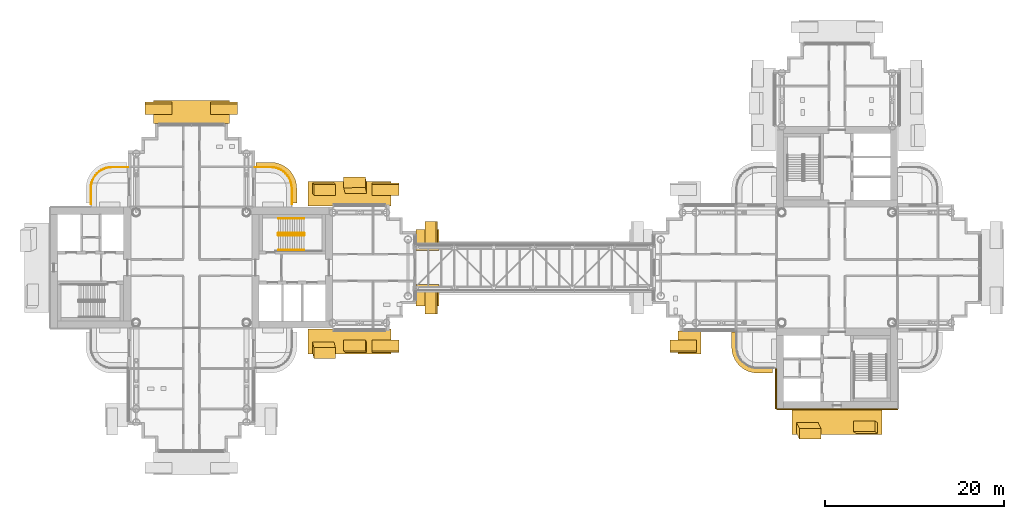
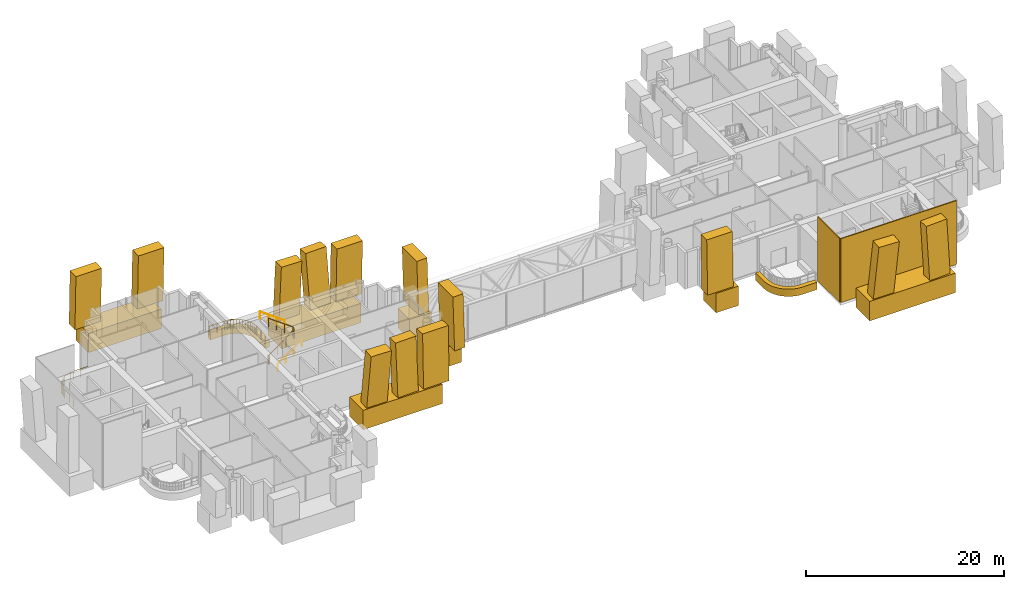
# One storey, part 23 of 26: 24 coverings, 5 railings.
"""IFC4 building model written with IfcOpenShell, lengths in metres."""

from ifc_helpers import new_model, si_unit, direction, frame, origin, origin_2d, place, context, subcontext, project, spatial, polyline, rectangle, circle, outline, extrude, material, layer, layer_set, material_profile, profile_set, type_object, element, save


model = new_model("IFC4")

# Units and contexts
model_context = context("Model", 3, precision=1e-05, world=origin(), true_north=direction((0.0, 1.0)))
body_context = subcontext(model_context, "Body", "Model", "MODEL_VIEW")
ifc_project = project(units=[si_unit("LENGTHUNIT", "METRE"), si_unit("AREAUNIT", "SQUARE_METRE"), si_unit("VOLUMEUNIT", "CUBIC_METRE"), si_unit("PLANEANGLEUNIT", "RADIAN"), si_unit("MASSUNIT", "GRAM", prefix="KILO")], contexts=[model_context])

# Site, building, storey
site_placement = place(None, origin())
site = spatial("IfcSite", under=ifc_project, at=site_placement, CompositionType="ELEMENT")
building_placement = place(site_placement, origin())
building = spatial("IfcBuilding", under=site, at=building_placement, Name="Ipe Terrace Towers", CompositionType="ELEMENT")
storey_placement = place(building_placement, frame((0.0, 0.0, 181.300048828125)))
storey = spatial("IfcBuildingStorey", under=building, at=storey_placement, Name="L50", CompositionType="ELEMENT", Elevation=181.300048828125)

# Railings
ifc_material_1 = material(Name="Stainless steel S316", Category="steel")
railing_type_1 = type_object("IfcRailingType", Name="GUARD 1100", PredefinedType="BALUSTRADE", material=ifc_material_1)
railing_1_placement = place(storey_placement, frame((-43.070068359375, 11.199951171875, -0.02001953125)))
element("IfcRailing", 1, at=railing_1_placement, inside=storey, type_object=railing_type_1, Name="guard", PredefinedType="BALUSTRADE", context=body_context, shape_type="SweptSolid", body=[
    extrude(circle(Radius=0.02392578125, at=origin_2d()), frame((0.0, 0.0, 1.076171875), z_axis=(-1.0, 0.0, 0.0), x_axis=(0.0, -1.0, 0.0)), (0.0, 0.0, 1.0), 1.77783203125),
    extrude(circle(Radius=0.02392578125, at=origin_2d()), frame((-1.77783203125, 0.0, 1.076171875), z_axis=(-0.99790894031, -0.064635492184, 0.0), x_axis=(0.064635492184, -0.99790894031, 0.0)), (0.0, 0.0, 1.0), 0.309814453125),
    extrude(circle(Radius=0.02392578125, at=origin_2d()), frame((-2.0869140625, -0.02001953125, 1.076171875), z_axis=(-0.980824674538, -0.194892169718, 0.0), x_axis=(0.194892169718, -0.980824674538, 0.0)), (0.0, 0.0, 1.0), 0.306884765625),
    extrude(circle(Radius=0.02392578125, at=origin_2d()), frame((-2.387939453125, -0.079833984375, 1.076171875), z_axis=(-0.946598348228, -0.322415209212, 0.0), x_axis=(0.322415209212, -0.946598348228, 0.0)), (0.0, 0.0, 1.0), 0.307373046875),
    extrude(circle(Radius=0.02392578125, at=origin_2d()), frame((-2.678955078125, -0.178955078125, 1.076171875), z_axis=(-0.896952807524, -0.44212629539, 0.0), x_axis=(0.44212629539, -0.896952807524, 0.0)), (0.0, 0.0, 1.0), 0.3076171875),
    extrude(circle(Radius=0.02392578125, at=origin_2d()), frame((-2.954833984375, -0.31494140625, 1.076171875), z_axis=(-0.831806228742, -0.555066120228, 0.0), x_axis=(0.555066120228, -0.831806228742, 0.0)), (0.0, 0.0, 1.0), 0.307861328125),
    extrude(circle(Radius=0.02392578125, at=origin_2d()), frame((-3.2109375, -0.48583984375, 1.076171875), z_axis=(-0.752478137252, -0.658617227954, 0.0), x_axis=(0.658617227954, -0.752478137252, 0.0)), (0.0, 0.0, 1.0), 0.306884765625),
    extrude(circle(Radius=0.02392578125, at=origin_2d()), frame((-3.44189453125, -0.68798828125, 1.076171875), z_axis=(-0.658617227954, -0.752478137252, 0.0), x_axis=(0.752478137252, -0.658617227954, 0.0)), (0.0, 0.0, 1.0), 0.306884765625),
    extrude(circle(Radius=0.02392578125, at=origin_2d()), frame((-3.64404296875, -0.9189453125, 1.076171875), z_axis=(-0.555066120228, -0.831806228742, 0.0), x_axis=(0.831806228742, -0.555066120228, 0.0)), (0.0, 0.0, 1.0), 0.307861328125),
    extrude(circle(Radius=0.02392578125, at=origin_2d()), frame((-3.81494140625, -1.175048828125, 1.076171875), z_axis=(-0.44212629539, -0.896952807524, 0.0), x_axis=(0.896952807524, -0.44212629539, 0.0)), (0.0, 0.0, 1.0), 0.3076171875),
    extrude(circle(Radius=0.02392578125, at=origin_2d()), frame((-3.950927734375, -1.450927734375, 1.076171875), z_axis=(-0.322415209212, -0.946598348228, 0.0), x_axis=(0.946598348228, -0.322415209212, 0.0)), (0.0, 0.0, 1.0), 0.307373046875),
    extrude(circle(Radius=0.02392578125, at=origin_2d()), frame((-4.050048828125, -1.741943359375, 1.076171875), z_axis=(-0.194892169718, -0.980824674538, 0.0), x_axis=(0.980824674538, -0.194892169718, 0.0)), (0.0, 0.0, 1.0), 0.306884765625),
    extrude(circle(Radius=0.02392578125, at=origin_2d()), frame((-4.10986328125, -2.04296875, 1.076171875), z_axis=(-0.064635492184, -0.99790894031, 0.0), x_axis=(0.99790894031, -0.064635492184, 0.0)), (0.0, 0.0, 1.0), 0.309814453125),
    extrude(circle(Radius=0.02392578125, at=origin_2d()), frame((-4.1298828125, -2.35205078125, 1.076171875), z_axis=(0.0, -1.0, 0.0), x_axis=(1.0, 0.0, 0.0)), (0.0, 0.0, 1.0), 1.77783203125),
    extrude(circle(Radius=0.02099609375, at=origin_2d()), origin(), (0.0, 0.0, 1.0), 1.052001953125),
    extrude(circle(Radius=0.02099609375, at=origin_2d()), frame((-0.888916015625, 0.0, 0.0)), (0.0, 0.0, 1.0), 1.052001953125),
    extrude(circle(Radius=0.02099609375, at=origin_2d()), frame((-1.77783203125, 0.0, 0.0)), (0.0, 0.0, 1.0), 1.052001953125),
    extrude(circle(Radius=0.02099609375, at=origin_2d()), frame((-2.0869140625, -0.02001953125, 0.0)), (0.0, 0.0, 1.0), 1.052001953125),
    extrude(circle(Radius=0.02099609375, at=origin_2d()), frame((-2.387939453125, -0.079833984375, 0.0)), (0.0, 0.0, 1.0), 1.052001953125),
    extrude(circle(Radius=0.02099609375, at=origin_2d()), frame((-2.678955078125, -0.178955078125, 0.0)), (0.0, 0.0, 1.0), 1.052001953125),
    extrude(circle(Radius=0.02099609375, at=origin_2d()), frame((-2.954833984375, -0.31494140625, 0.0)), (0.0, 0.0, 1.0), 1.052001953125),
    extrude(circle(Radius=0.02099609375, at=origin_2d()), frame((-3.2109375, -0.48583984375, 0.0)), (0.0, 0.0, 1.0), 1.052001953125),
    extrude(circle(Radius=0.02099609375, at=origin_2d()), frame((-3.44189453125, -0.68798828125, 0.0)), (0.0, 0.0, 1.0), 1.052001953125),
    extrude(circle(Radius=0.02099609375, at=origin_2d()), frame((-3.64404296875, -0.9189453125, 0.0)), (0.0, 0.0, 1.0), 1.052001953125),
    extrude(circle(Radius=0.02099609375, at=origin_2d()), frame((-3.81494140625, -1.175048828125, 0.0)), (0.0, 0.0, 1.0), 1.052001953125),
    extrude(circle(Radius=0.02099609375, at=origin_2d()), frame((-3.950927734375, -1.450927734375, 0.0)), (0.0, 0.0, 1.0), 1.052001953125),
    extrude(circle(Radius=0.02099609375, at=origin_2d()), frame((-4.050048828125, -1.741943359375, 0.0)), (0.0, 0.0, 1.0), 1.052001953125),
    extrude(circle(Radius=0.02099609375, at=origin_2d()), frame((-4.10986328125, -2.04296875, 0.0)), (0.0, 0.0, 1.0), 1.052001953125),
    extrude(circle(Radius=0.02099609375, at=origin_2d()), frame((-4.1298828125, -2.35205078125, 0.0)), (0.0, 0.0, 1.0), 1.052001953125),
    extrude(circle(Radius=0.02099609375, at=origin_2d()), frame((-4.1298828125, -3.240966796875, 0.0)), (0.0, 0.0, 1.0), 1.052001953125),
    extrude(circle(Radius=0.02099609375, at=origin_2d()), frame((-4.1298828125, -4.1298828125, 0.0)), (0.0, 0.0, 1.0), 1.052001953125),
])
railing_2_placement = place(storey_placement, frame((-24.800048828125, 7.070068359375, -0.02001953125)))
element("IfcRailing", 2, at=railing_2_placement, inside=storey, type_object=railing_type_1, Name="guard", PredefinedType="BALUSTRADE", context=body_context, shape_type="SweptSolid", body=[
    extrude(circle(Radius=0.02392578125, at=origin_2d()), frame((0.0, 0.0, 1.076171875), z_axis=(0.0, 1.0, 0.0), x_axis=(-1.0, 0.0, 0.0)), (0.0, 0.0, 1.0), 1.77783203125),
    extrude(circle(Radius=0.02392578125, at=origin_2d()), frame((0.0, 1.77783203125, 1.076171875), z_axis=(-0.064635492184, 0.99790894031, 0.0), x_axis=(-0.99790894031, -0.064635492184, 0.0)), (0.0, 0.0, 1.0), 0.309814453125),
    extrude(circle(Radius=0.02392578125, at=origin_2d()), frame((-0.02001953125, 2.0869140625, 1.076171875), z_axis=(-0.194892169718, 0.980824674538, 0.0), x_axis=(-0.980824674538, -0.194892169718, 0.0)), (0.0, 0.0, 1.0), 0.306884765625),
    extrude(circle(Radius=0.02392578125, at=origin_2d()), frame((-0.079833984375, 2.387939453125, 1.076171875), z_axis=(-0.322415209212, 0.946598348228, 0.0), x_axis=(-0.946598348228, -0.322415209212, 0.0)), (0.0, 0.0, 1.0), 0.307373046875),
    extrude(circle(Radius=0.02392578125, at=origin_2d()), frame((-0.178955078125, 2.678955078125, 1.076171875), z_axis=(-0.44212629539, 0.896952807524, 0.0), x_axis=(-0.896952807524, -0.44212629539, 0.0)), (0.0, 0.0, 1.0), 0.3076171875),
    extrude(circle(Radius=0.02392578125, at=origin_2d()), frame((-0.31494140625, 2.954833984375, 1.076171875), z_axis=(-0.555066120228, 0.831806228742, 0.0), x_axis=(-0.831806228742, -0.555066120228, 0.0)), (0.0, 0.0, 1.0), 0.307861328125),
    extrude(circle(Radius=0.02392578125, at=origin_2d()), frame((-0.48583984375, 3.2109375, 1.076171875), z_axis=(-0.658617227954, 0.752478137252, 0.0), x_axis=(-0.752478137252, -0.658617227954, 0.0)), (0.0, 0.0, 1.0), 0.306884765625),
    extrude(circle(Radius=0.02392578125, at=origin_2d()), frame((-0.68798828125, 3.44189453125, 1.076171875), z_axis=(-0.752478137252, 0.658617227954, 0.0), x_axis=(-0.658617227954, -0.752478137252, 0.0)), (0.0, 0.0, 1.0), 0.306884765625),
    extrude(circle(Radius=0.02392578125, at=origin_2d()), frame((-0.9189453125, 3.64404296875, 1.076171875), z_axis=(-0.831806228742, 0.555066120228, 0.0), x_axis=(-0.555066120228, -0.831806228742, 0.0)), (0.0, 0.0, 1.0), 0.307861328125),
    extrude(circle(Radius=0.02392578125, at=origin_2d()), frame((-1.175048828125, 3.81494140625, 1.076171875), z_axis=(-0.896952807524, 0.44212629539, 0.0), x_axis=(-0.44212629539, -0.896952807524, 0.0)), (0.0, 0.0, 1.0), 0.3076171875),
    extrude(circle(Radius=0.02392578125, at=origin_2d()), frame((-1.450927734375, 3.950927734375, 1.076171875), z_axis=(-0.946598348228, 0.322415209212, 0.0), x_axis=(-0.322415209212, -0.946598348228, 0.0)), (0.0, 0.0, 1.0), 0.307373046875),
    extrude(circle(Radius=0.02392578125, at=origin_2d()), frame((-1.741943359375, 4.050048828125, 1.076171875), z_axis=(-0.980824674538, 0.194892169718, 0.0), x_axis=(-0.194892169718, -0.980824674538, 0.0)), (0.0, 0.0, 1.0), 0.306884765625),
    extrude(circle(Radius=0.02392578125, at=origin_2d()), frame((-2.04296875, 4.10986328125, 1.076171875), z_axis=(-0.99790894031, 0.064635492184, 0.0), x_axis=(-0.064635492184, -0.99790894031, 0.0)), (0.0, 0.0, 1.0), 0.309814453125),
    extrude(circle(Radius=0.02392578125, at=origin_2d()), frame((-2.35205078125, 4.1298828125, 1.076171875), z_axis=(-1.0, 0.0, 0.0), x_axis=(0.0, -1.0, 0.0)), (0.0, 0.0, 1.0), 1.77783203125),
    extrude(circle(Radius=0.02099609375, at=origin_2d()), origin(), (0.0, 0.0, 1.0), 1.052001953125),
    extrude(circle(Radius=0.02099609375, at=origin_2d()), frame((0.0, 0.888916015625, 0.0)), (0.0, 0.0, 1.0), 1.052001953125),
    extrude(circle(Radius=0.02099609375, at=origin_2d()), frame((0.0, 1.77783203125, 0.0)), (0.0, 0.0, 1.0), 1.052001953125),
    extrude(circle(Radius=0.02099609375, at=origin_2d()), frame((-0.02001953125, 2.0869140625, 0.0)), (0.0, 0.0, 1.0), 1.052001953125),
    extrude(circle(Radius=0.02099609375, at=origin_2d()), frame((-0.079833984375, 2.387939453125, 0.0)), (0.0, 0.0, 1.0), 1.052001953125),
    extrude(circle(Radius=0.02099609375, at=origin_2d()), frame((-0.178955078125, 2.678955078125, 0.0)), (0.0, 0.0, 1.0), 1.052001953125),
    extrude(circle(Radius=0.02099609375, at=origin_2d()), frame((-0.31494140625, 2.954833984375, 0.0)), (0.0, 0.0, 1.0), 1.052001953125),
    extrude(circle(Radius=0.02099609375, at=origin_2d()), frame((-0.48583984375, 3.2109375, 0.0)), (0.0, 0.0, 1.0), 1.052001953125),
    extrude(circle(Radius=0.02099609375, at=origin_2d()), frame((-0.68798828125, 3.44189453125, 0.0)), (0.0, 0.0, 1.0), 1.052001953125),
    extrude(circle(Radius=0.02099609375, at=origin_2d()), frame((-0.9189453125, 3.64404296875, 0.0)), (0.0, 0.0, 1.0), 1.052001953125),
    extrude(circle(Radius=0.02099609375, at=origin_2d()), frame((-1.175048828125, 3.81494140625, 0.0)), (0.0, 0.0, 1.0), 1.052001953125),
    extrude(circle(Radius=0.02099609375, at=origin_2d()), frame((-1.450927734375, 3.950927734375, 0.0)), (0.0, 0.0, 1.0), 1.052001953125),
    extrude(circle(Radius=0.02099609375, at=origin_2d()), frame((-1.741943359375, 4.050048828125, 0.0)), (0.0, 0.0, 1.0), 1.052001953125),
    extrude(circle(Radius=0.02099609375, at=origin_2d()), frame((-2.04296875, 4.10986328125, 0.0)), (0.0, 0.0, 1.0), 1.052001953125),
    extrude(circle(Radius=0.02099609375, at=origin_2d()), frame((-2.35205078125, 4.1298828125, 0.0)), (0.0, 0.0, 1.0), 1.052001953125),
    extrude(circle(Radius=0.02099609375, at=origin_2d()), frame((-3.240966796875, 4.1298828125, 0.0)), (0.0, 0.0, 1.0), 1.052001953125),
    extrude(circle(Radius=0.02099609375, at=origin_2d()), frame((-4.1298828125, 4.1298828125, 0.0)), (0.0, 0.0, 1.0), 1.052001953125),
])

# Coverings
ifc_material_2 = material(Name="Concrete C50/60 precast, buff finish", Category="concrete")
ifc_layer_1 = layer(ifc_material_2, 0.1201171875)
ifc_layer_set_1 = layer_set([ifc_layer_1], Name="STONE CORE CLADDING 120")
covering_type_1 = type_object("IfcCoveringType", Name="STONE CORE CLADDING 120", PredefinedType="CLADDING", material=ifc_layer_set_1)
covering_1_placement = place(storey_placement, frame((36.0, -15.81005859375, 0.0), z_axis=(0.0, 0.0, 1.0), x_axis=(1.0, 0.0, 0.0)))
element("IfcCovering", 3, at=covering_1_placement, inside=storey, type_object=covering_type_1, Name="stone core cladding", PredefinedType="CLADDING", context=body_context, shape_type="SweptSolid", body=[
    extrude(rectangle(XDim=13.5, YDim=0.1201171875, at=origin_2d()), origin(), (0.0, 0.0, 1.0), 7.89990234375),
])
covering_2_placement = place(storey_placement, frame((29.18994140625, -13.5, 0.0), z_axis=(0.0, 0.0, 1.0), x_axis=(0.0, -1.0, 0.0)))
element("IfcCovering", 4, at=covering_2_placement, inside=storey, type_object=covering_type_1, Name="stone core cladding", PredefinedType="CLADDING", context=body_context, shape_type="SweptSolid", body=[
    extrude(rectangle(XDim=4.5, YDim=0.1201171875, at=origin_2d()), origin(), (0.0, 0.0, 1.0), 7.89990234375),
])
ifc_material_3 = material(Name="Concrete C50/60 precast, buff finish", Category="concrete")
ifc_layer_2 = layer(ifc_material_3, 0.5)
ifc_layer_set_2 = layer_set([ifc_layer_2], Name="STONE EDGE BAND 500 x 900")
covering_type_2 = type_object("IfcCoveringType", Name="STONE EDGE BAND 500 x 900", PredefinedType="CLADDING", material=ifc_layer_set_2)
covering_3_placement = place(storey_placement, frame((0.0, 0.0, -0.719970703125)))
element("IfcCovering", 5, at=covering_3_placement, inside=storey, type_object=covering_type_2, Name="stone edge band", PredefinedType="CLADDING", context=body_context, shape_type="SweptSolid", body=[
    extrude(outline(polyline([(-27.14990234375, 11.75), (-28.800048828125, 11.75), (-28.800048828125, 11.25), (-27.14990234375, 11.25), (-26.8369140625, 11.22900390625), (-26.529052734375, 11.16796875), (-26.23193359375, 11.06689453125), (-25.949951171875, 10.927978515625), (-25.68896484375, 10.75390625), (-25.452880859375, 10.547119140625), (-25.24609375, 10.31103515625), (-25.072021484375, 10.050048828125), (-24.93310546875, 9.76806640625), (-24.83203125, 9.470947265625), (-24.77099609375, 9.1630859375), (-24.75, 8.85009765625), (-24.75, 7.199951171875), (-24.25, 7.199951171875), (-24.25, 8.85009765625), (-24.2509765625, 8.883056640625), (-24.27197265625, 9.196044921875), (-24.280029296875, 9.260986328125), (-24.341064453125, 9.569091796875), (-24.35791015625, 9.632080078125), (-24.458984375, 9.928955078125), (-24.48388671875, 9.989990234375), (-24.623046875, 10.27099609375), (-24.656005859375, 10.327880859375), (-24.830078125, 10.589111328125), (-24.8701171875, 10.64111328125), (-25.076904296875, 10.876953125), (-25.123046875, 10.923095703125), (-25.35888671875, 11.1298828125), (-25.410888671875, 11.169921875), (-25.672119140625, 11.343994140625), (-25.72900390625, 11.376953125), (-26.010009765625, 11.51611328125), (-26.071044921875, 11.541015625), (-26.367919921875, 11.64208984375), (-26.430908203125, 11.658935546875), (-26.739013671875, 11.719970703125), (-26.803955078125, 11.72802734375), (-27.116943359375, 11.7490234375), (-27.14990234375, 11.75)])), origin(), (0.0, 0.0, 1.0), 0.89990234375),
])
covering_4_placement = place(storey_placement, frame((0.0, 0.0, -0.719970703125)))
element("IfcCovering", 6, at=covering_4_placement, inside=storey, type_object=covering_type_2, Name="stone edge band", PredefinedType="CLADDING", context=body_context, shape_type="SweptSolid", body=[
    extrude(outline(polyline([(24.25, -8.85009765625), (24.2509765625, -8.883056640625), (24.27197265625, -9.196044921875), (24.280029296875, -9.260986328125), (24.341064453125, -9.569091796875), (24.35791015625, -9.632080078125), (24.458984375, -9.928955078125), (24.48388671875, -9.989990234375), (24.623046875, -10.27099609375), (24.656005859375, -10.327880859375), (24.830078125, -10.589111328125), (24.8701171875, -10.64111328125), (25.076904296875, -10.876953125), (25.123046875, -10.923095703125), (25.35888671875, -11.1298828125), (25.410888671875, -11.169921875), (25.672119140625, -11.343994140625), (25.72900390625, -11.376953125), (26.010009765625, -11.51611328125), (26.071044921875, -11.541015625), (26.367919921875, -11.64208984375), (26.430908203125, -11.658935546875), (26.739013671875, -11.719970703125), (26.803955078125, -11.72802734375), (27.116943359375, -11.7490234375), (27.14990234375, -11.75), (28.800048828125, -11.75), (28.800048828125, -11.25), (27.14990234375, -11.25), (26.8369140625, -11.22900390625), (26.529052734375, -11.16796875), (26.23193359375, -11.06689453125), (25.949951171875, -10.927978515625), (25.68896484375, -10.75390625), (25.452880859375, -10.547119140625), (25.24609375, -10.31103515625), (25.072021484375, -10.050048828125), (24.93310546875, -9.76806640625), (24.83203125, -9.470947265625), (24.77099609375, -9.1630859375), (24.75, -8.85009765625), (24.75, -7.199951171875), (24.25, -7.199951171875), (24.25, -8.85009765625)])), origin(), (0.0, 0.0, 1.0), 0.89990234375),
])
ifc_material_4 = material(Name="Concrete C50/60 precast, buff finish", Category="concrete")
ifc_material_profile_1 = material_profile(ifc_material_4, rectangle(XDim=2.39990234375, YDim=1.199951171875, at=origin_2d()), Name="STONE FIN 2400 x 1200")
ifc_profile_set_1 = profile_set([ifc_material_profile_1], Name="Concrete C50/60 precast, buff finish")
covering_type_3 = type_object("IfcCoveringType", Name="STONE FIN 2400 x 1200", PredefinedType="USERDEFINED", material=ifc_profile_set_1)
covering_5_placement = place(storey_placement, frame((-21.300048828125, -8.8701171875, 1.199951171875), z_axis=(0.023933718648, -0.09519092644, 0.99517127402), x_axis=(0.999713547528, 0.002278925658, -0.023824974001)))
element("IfcCovering", 7, at=covering_5_placement, inside=storey, type_object=covering_type_3, Name="stone fin", ObjectType="FIN", PredefinedType="USERDEFINED", context=body_context, shape_type="SweptSolid", body=[
    extrude(rectangle(XDim=2.39990234375, YDim=1.199951171875, at=origin_2d()), origin(), (0.0, 0.0, 1.0), 6.732421875),
])
for number, where, z_axis, x_axis, name in (
    (8, (-21.300048828125, 8.8701171875, 1.199951171875), (0.024032410872, -0.029530735177, 0.999274926588), (-0.999711179905, -0.00070989979, 0.024021923624), "stone fin"),
    (9, (-17.64990234375, -8.8701171875, 1.199951171875), (-0.024032410872, 0.029530735177, 0.999274926588), (0.999711179905, 0.00070989979, 0.024021923624), "stone fin"),
):
    element("IfcCovering", number, at=place(storey_placement, frame(where, z_axis=z_axis, x_axis=x_axis)), inside=storey, type_object=covering_type_3, Name=name, ObjectType="FIN", PredefinedType="USERDEFINED", context=body_context, shape_type="SweptSolid", body=[
        extrude(rectangle(XDim=2.39990234375, YDim=1.199951171875, at=origin_2d()), origin(), (0.0, 0.0, 1.0), 6.704833984375),
    ])
covering_6_placement = place(storey_placement, frame((-17.64990234375, 8.8701171875, 1.199951171875), z_axis=(-0.023933718648, 0.09519092644, 0.99517127402), x_axis=(-0.999713547528, -0.002278925658, -0.023824974001)))
element("IfcCovering", 10, at=covering_6_placement, inside=storey, type_object=covering_type_3, Name="stone fin", ObjectType="FIN", PredefinedType="USERDEFINED", context=body_context, shape_type="SweptSolid", body=[
    extrude(rectangle(XDim=2.39990234375, YDim=1.199951171875, at=origin_2d()), origin(), (0.0, 0.0, 1.0), 6.732421875),
])
covering_7_placement = place(storey_placement, frame((39.300048828125, -17.8701171875, 1.199951171875), z_axis=(-0.043520948596, 0.029511278688, 0.998616548763), x_axis=(0.999052514652, 0.001285576906, 0.043501956953)))
element("IfcCovering", 11, at=covering_7_placement, inside=storey, type_object=covering_type_3, Name="stone fin", ObjectType="FIN", PredefinedType="USERDEFINED", context=body_context, shape_type="SweptSolid", body=[
    extrude(rectangle(XDim=2.39990234375, YDim=1.199951171875, at=origin_2d()), origin(), (0.0, 0.0, 1.0), 6.709228515625),
])
covering_8_placement = place(storey_placement, frame((32.699951171875, -17.8701171875, 1.199951171875), z_axis=(0.043342458138, -0.095128722921, 0.994520968808), x_axis=(0.999060274119, 0.004126990933, -0.043145528428)))
element("IfcCovering", 12, at=covering_8_placement, inside=storey, type_object=covering_type_3, Name="stone fin", ObjectType="FIN", PredefinedType="USERDEFINED", context=body_context, shape_type="SweptSolid", body=[
    extrude(rectangle(XDim=2.39990234375, YDim=1.199951171875, at=origin_2d()), origin(), (0.0, 0.0, 1.0), 6.73681640625),
])
ifc_material_5 = material(Name="Concrete C50/60 precast, buff finish", Category="concrete")
ifc_material_profile_2 = material_profile(ifc_material_5, rectangle(XDim=3.0, YDim=1.199951171875, at=origin_2d()), Name="STONE FIN CORNER 3000 x 1200")
ifc_profile_set_2 = profile_set([ifc_material_profile_2], Name="Concrete C50/60 precast, buff finish")
covering_type_4 = type_object("IfcCoveringType", Name="STONE FIN CORNER 3000 x 1200", PredefinedType="USERDEFINED", material=ifc_profile_set_2)
for number, where, z_axis, x_axis, name in (
    (13, (-9.1298828125, -3.64990234375, 1.199951171875), (-0.029539266711, 0.0, 0.999563620648), (0.0, 1.0, 0.0), "stone fin"),
    (14, (-9.1298828125, 3.64990234375, 1.199951171875), (-0.029539266711, 0.0, 0.999563620648), (0.0, 1.0, 0.0), "stone fin"),
    (15, (-14.35009765625, -8.8701171875, 1.199951171875), (0.0, 0.029539266711, 0.999563620648), (1.0, 0.0, 0.0), "stone fin"),
    (16, (-14.35009765625, 8.8701171875, 1.199951171875), (0.0, -0.029539266711, 0.999563620648), (-1.0, 0.0, 0.0), "stone fin"),
    (17, (-32.35009765625, 17.8701171875, 1.199951171875), (0.0, -0.029539266711, 0.999563620648), (-1.0, 0.0, 0.0), "stone fin"),
    (18, (-39.64990234375, 17.8701171875, 1.199951171875), (0.0, -0.029539266711, 0.999563620648), (-1.0, 0.0, 0.0), "stone fin"),
    (19, (18.85009765625, -8.8701171875, 1.199951171875), (0.0, 0.029539266711, 0.999563620648), (1.0, 0.0, 0.0), "stone fin"),
):
    element("IfcCovering", number, at=place(storey_placement, frame(where, z_axis=z_axis, x_axis=x_axis)), inside=storey, type_object=covering_type_4, Name=name, ObjectType="FIN", PredefinedType="USERDEFINED", context=body_context, shape_type="SweptSolid", body=[
        extrude(rectangle(XDim=3.0, YDim=1.199951171875, at=origin_2d()), origin(), (0.0, 0.0, 1.0), 6.702880859375),
    ])
ifc_material_6 = material(Name="Concrete C50/60 precast, buff finish", Category="concrete")
ifc_material_profile_3 = material_profile(ifc_material_6, rectangle(XDim=2.56005859375, YDim=2.39990234375, at=origin_2d()), Name="STONE FIN SPANDREL 2560 x 2400")
ifc_profile_set_3 = profile_set([ifc_material_profile_3], Name="Concrete C50/60 precast, buff finish")
covering_type_5 = type_object("IfcCoveringType", Name="STONE FIN SPANDREL 2560 x 2400", PredefinedType="CLADDING", material=ifc_profile_set_3)
for number, where, z_axis, x_axis, name in (
    (20, (-9.659912109375, -4.25, 0.0), (0.0, 1.0, 0.0), (1.0, 0.0, 0.0), "stone fin spandrel"),
    (21, (-9.659912109375, 1.89990234375, 0.0), (0.0, 1.0, 0.0), (1.0, 0.0, 0.0), "stone fin spandrel"),
):
    element("IfcCovering", number, at=place(storey_placement, frame(where, z_axis=z_axis, x_axis=x_axis)), inside=storey, type_object=covering_type_5, Name=name, PredefinedType="CLADDING", context=body_context, shape_type="SweptSolid", body=[
        extrude(rectangle(XDim=2.56005859375, YDim=2.39990234375, at=origin_2d()), origin(), (0.0, 0.0, 1.0), 2.35009765625),
    ])
covering_9_placement = place(storey_placement, frame((-31.75, 17.340087890625, 0.0), z_axis=(-1.0, 0.0, 0.0), x_axis=(0.0, 1.0, 0.0)))
element("IfcCovering", 22, at=covering_9_placement, inside=storey, type_object=covering_type_5, Name="stone fin spandrel", PredefinedType="CLADDING", context=body_context, shape_type="SweptSolid", body=[
    extrude(rectangle(XDim=2.56005859375, YDim=2.39990234375, at=origin_2d()), origin(), (0.0, 0.0, 1.0), 8.5),
])
covering_10_placement = place(storey_placement, frame((18.25, -8.340087890625, 0.0), z_axis=(1.0, 0.0, 0.0), x_axis=(0.0, -1.0, 0.0)))
element("IfcCovering", 23, at=covering_10_placement, inside=storey, type_object=covering_type_5, Name="stone fin spandrel", PredefinedType="CLADDING", context=body_context, shape_type="SweptSolid", body=[
    extrude(rectangle(XDim=2.56005859375, YDim=2.39990234375, at=origin_2d()), origin(), (0.0, 0.0, 1.0), 2.60009765625),
])
ifc_material_7 = material(Name="Concrete C50/60 precast, buff finish", Category="concrete")
ifc_material_profile_4 = material_profile(ifc_material_7, rectangle(XDim=2.760009765625, YDim=2.39990234375, at=origin_2d()), Name="STONE FIN SPANDREL 2760 x 2400")
ifc_profile_set_4 = profile_set([ifc_material_profile_4], Name="Concrete C50/60 precast, buff finish")
covering_type_6 = type_object("IfcCoveringType", Name="STONE FIN SPANDREL 2760 x 2400", PredefinedType="CLADDING", material=ifc_profile_set_4)
for number, where, z_axis, x_axis, name in (
    (24, (-23.0, -8.239990234375, 0.0), (1.0, 0.0, 0.0), (0.0, -1.0, 0.0), "stone fin spandrel"),
    (25, (-13.75, 8.239990234375, 0.0), (-1.0, 0.0, 0.0), (0.0, 1.0, 0.0), "stone fin spandrel"),
):
    element("IfcCovering", number, at=place(storey_placement, frame(where, z_axis=z_axis, x_axis=x_axis)), inside=storey, type_object=covering_type_6, Name=name, PredefinedType="CLADDING", context=body_context, shape_type="SweptSolid", body=[
        extrude(rectangle(XDim=2.760009765625, YDim=2.39990234375, at=origin_2d()), origin(), (0.0, 0.0, 1.0), 9.25),
    ])
covering_11_placement = place(storey_placement, frame((31.0, -17.239990234375, 0.0), z_axis=(1.0, 0.0, 0.0), x_axis=(0.0, -1.0, 0.0)))
element("IfcCovering", 26, at=covering_11_placement, inside=storey, type_object=covering_type_6, Name="stone fin spandrel", PredefinedType="CLADDING", context=body_context, shape_type="SweptSolid", body=[
    extrude(rectangle(XDim=2.760009765625, YDim=2.39990234375, at=origin_2d()), origin(), (0.0, 0.0, 1.0), 10.0),
])

# Railings
ifc_material_8 = material(Name="Steel S355", Category="steel")
railing_type_2 = type_object("IfcRailingType", Name="Stair guard 1100", PredefinedType="GUARDRAIL", material=ifc_material_8)
railing_3_placement = place(storey_placement, frame((-26.35009765625, 3.800048828125, 0.0)))
element("IfcRailing", 27, at=railing_3_placement, inside=storey, type_object=railing_type_2, Name="L50 T1-ST1 stair guard 1", PredefinedType="GUARDRAIL", context=body_context, shape_type="SweptSolid", body=[
    extrude(circle(Radius=0.02392578125, at=origin_2d()), frame((0.0, 0.0, 1.076171875), z_axis=(0.0, -1.0, 0.0), x_axis=(1.0, 0.0, 0.0)), (0.0, 0.0, 1.0), 0.150146484375),
    extrude(circle(Radius=0.02392578125, at=origin_2d()), frame((0.0, -0.150146484375, 1.076171875), z_axis=(0.249802250048, -0.248583702486, 0.935844527007), x_axis=(0.705375805398, 0.708833529934, 0.0)), (0.0, 0.0, 1.0), 0.200439453125),
    extrude(circle(Radius=0.02392578125, at=origin_2d()), frame((0.050048828125, -0.199951171875, 1.263671875), z_axis=(0.811100754333, 0.0, 0.584906459462), x_axis=(0.0, 1.0, 0.0)), (0.0, 0.0, 1.0), 3.526123046875),
    extrude(circle(Radius=0.02392578125, at=origin_2d()), frame((2.91015625, -0.199951171875, 3.326171875), z_axis=(0.708833529934, 0.705375805398, 0.0), x_axis=(-0.705375805398, 0.708833529934, 0.0)), (0.0, 0.0, 1.0), 0.070556640625),
    extrude(circle(Radius=0.02392578125, at=origin_2d()), frame((2.960205078125, -0.150146484375, 3.326171875), z_axis=(0.0, 1.0, 0.0), x_axis=(-1.0, 0.0, 0.0)), (0.0, 0.0, 1.0), 0.150146484375),
    extrude(circle(Radius=0.02392578125, at=origin_2d()), frame((2.960205078125, 0.0, 3.326171875), z_axis=(-0.249726431254, 0.249726431254, 0.935560483917), x_axis=(-0.707106781187, -0.707106781187, 0.0)), (0.0, 0.0, 1.0), 0.200439453125),
    extrude(circle(Radius=0.02392578125, at=origin_2d()), frame((2.91015625, 0.050048828125, 3.513671875), z_axis=(-0.811100754333, 0.0, 0.584906459462), x_axis=(0.0, -1.0, 0.0)), (0.0, 0.0, 1.0), 3.526123046875),
    extrude(circle(Radius=0.02099609375, at=origin_2d()), origin(), (0.0, 0.0, 1.0), 1.052001953125),
    extrude(circle(Radius=0.02099609375, at=origin_2d()), frame((0.0, -0.150146484375, 0.0)), (0.0, 0.0, 1.0), 1.052001953125),
    extrude(circle(Radius=0.02099609375, at=origin_2d()), frame((0.050048828125, -0.199951171875, 0.1875)), (0.0, 0.0, 1.0), 1.052001953125),
    extrude(circle(Radius=0.02099609375, at=origin_2d()), frame((1.00341796875, -0.199951171875, 0.875)), (0.0, 0.0, 1.0), 1.052001953125),
    extrude(circle(Radius=0.02099609375, at=origin_2d()), frame((1.956787109375, -0.199951171875, 1.5625)), (0.0, 0.0, 1.0), 1.052001953125),
    extrude(circle(Radius=0.02099609375, at=origin_2d()), frame((2.91015625, -0.199951171875, 2.25)), (0.0, 0.0, 1.0), 1.052001953125),
    extrude(circle(Radius=0.02099609375, at=origin_2d()), frame((2.960205078125, -0.150146484375, 2.25)), (0.0, 0.0, 1.0), 1.052001953125),
    extrude(circle(Radius=0.02099609375, at=origin_2d()), frame((2.960205078125, 0.0, 2.25)), (0.0, 0.0, 1.0), 1.052001953125),
    extrude(circle(Radius=0.02099609375, at=origin_2d()), frame((2.91015625, 0.050048828125, 2.4375)), (0.0, 0.0, 1.0), 1.052001953125),
    extrude(circle(Radius=0.02099609375, at=origin_2d()), frame((1.956787109375, 0.050048828125, 3.125)), (0.0, 0.0, 1.0), 1.052001953125),
    extrude(circle(Radius=0.02099609375, at=origin_2d()), frame((1.00341796875, 0.050048828125, 3.8125)), (0.0, 0.0, 1.0), 1.052001953125),
    extrude(circle(Radius=0.02099609375, at=origin_2d()), frame((0.050048828125, 0.050048828125, 4.5)), (0.0, 0.0, 1.0), 1.052001953125),
])
ifc_material_9 = material(Name="Stainless steel grade 304", Category="steel")
railing_type_3 = type_object("IfcRailingType", Name="Stair handrail 900", PredefinedType="HANDRAIL", material=ifc_material_9)
railing_4_placement = place(storey_placement, frame((-26.300048828125, 1.949951171875, 0.1875)))
element("IfcRailing", 28, at=railing_4_placement, inside=storey, type_object=railing_type_3, Name="L50 T1-ST1 stair handrail 1", PredefinedType="HANDRAIL", context=body_context, shape_type="SweptSolid", body=[
    extrude(circle(Radius=0.02392578125, at=origin_2d()), frame((0.0, 0.0, 0.8759765625), z_axis=(0.811100754333, 0.0, 0.584906459462), x_axis=(0.0, 1.0, 0.0)), (0.0, 0.0, 1.0), 3.526123046875),
    extrude(circle(Radius=0.02099609375, at=origin_2d()), origin(), (0.0, 0.0, 1.0), 0.851806640625),
    extrude(circle(Radius=0.02099609375, at=origin_2d()), frame((0.953369140625, 0.0, 0.6875)), (0.0, 0.0, 1.0), 0.851806640625),
    extrude(circle(Radius=0.02099609375, at=origin_2d()), frame((1.90673828125, 0.0, 1.375)), (0.0, 0.0, 1.0), 0.851806640625),
    extrude(circle(Radius=0.02099609375, at=origin_2d()), frame((2.860107421875, 0.0, 2.0625)), (0.0, 0.0, 1.0), 0.851806640625),
])
railing_5_placement = place(storey_placement, frame((-23.43994140625, 5.5, 2.4375)))
element("IfcRailing", 29, at=railing_5_placement, inside=storey, type_object=railing_type_3, Name="L50 T1-ST1 stair handrail 2", PredefinedType="HANDRAIL", context=body_context, shape_type="SweptSolid", body=[
    extrude(circle(Radius=0.02392578125, at=origin_2d()), frame((0.0, 0.0, 0.8759765625), z_axis=(-0.811100754333, 0.0, 0.584906459462), x_axis=(0.0, -1.0, 0.0)), (0.0, 0.0, 1.0), 3.526123046875),
    extrude(circle(Radius=0.02099609375, at=origin_2d()), origin(), (0.0, 0.0, 1.0), 0.851806640625),
    extrude(circle(Radius=0.02099609375, at=origin_2d()), frame((-0.953369140625, 0.0, 0.6875)), (0.0, 0.0, 1.0), 0.851806640625),
    extrude(circle(Radius=0.02099609375, at=origin_2d()), frame((-1.90673828125, 0.0, 1.375)), (0.0, 0.0, 1.0), 0.851806640625),
    extrude(circle(Radius=0.02099609375, at=origin_2d()), frame((-2.860107421875, 0.0, 2.0625)), (0.0, 0.0, 1.0), 0.851806640625),
])

save(model, "model.ifc")
